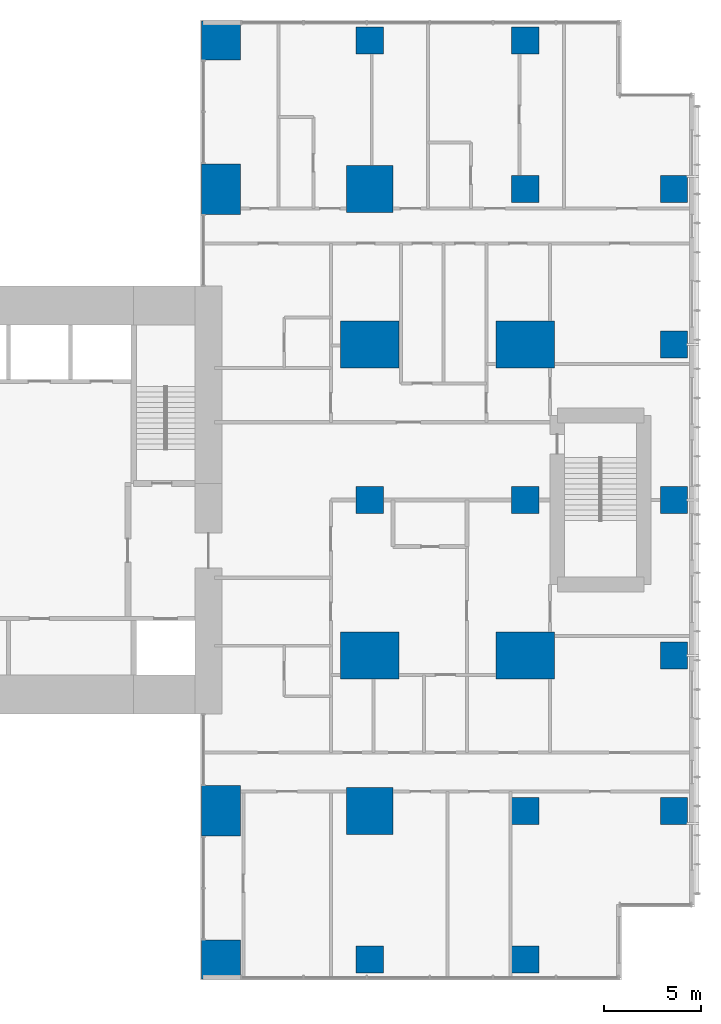
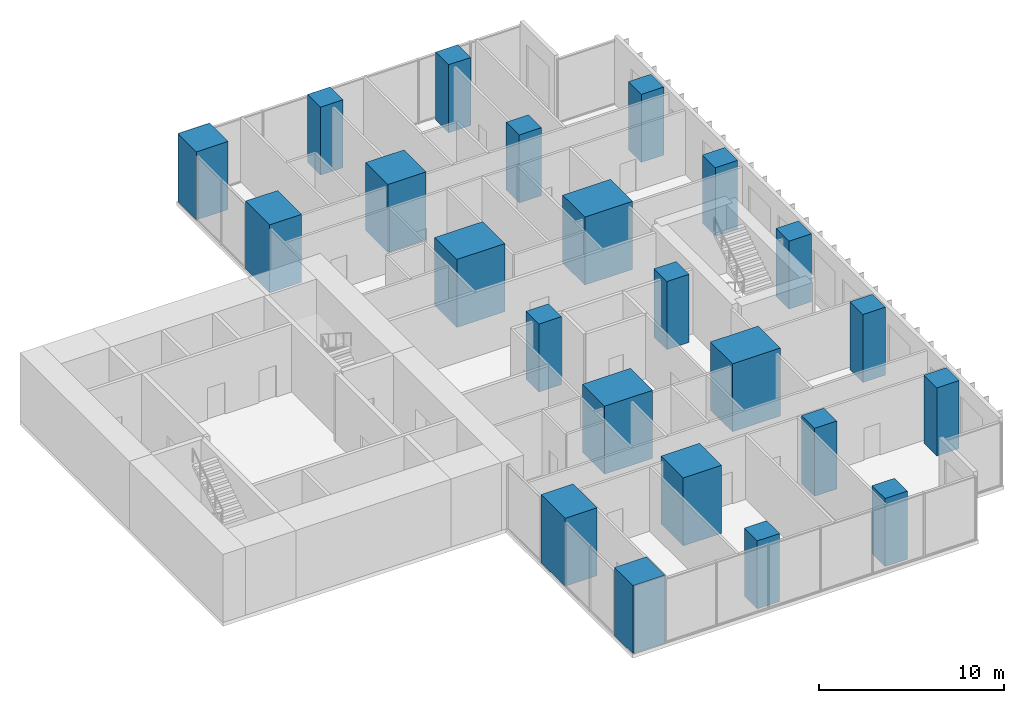
# One storey, part 1 of 12: 23 columns.
"""IFC4 building model written with IfcOpenShell, lengths in metres."""

from ifc_helpers import new_model, si_unit, direction, frame, origin, origin_2d, place, context, subcontext, project, spatial, rectangle, extrude, material, material_profile, profile_set, type_object, element, save


model = new_model("IFC4")

# Units and contexts
model_context = context("Model", 3, precision=1e-05, world=origin(), true_north=direction((0.0, 1.0)))
body_context = subcontext(model_context, "Body", "Model", "MODEL_VIEW")
ifc_project = project(units=[si_unit("LENGTHUNIT", "METRE"), si_unit("AREAUNIT", "SQUARE_METRE"), si_unit("VOLUMEUNIT", "CUBIC_METRE"), si_unit("PLANEANGLEUNIT", "RADIAN"), si_unit("MASSUNIT", "GRAM", prefix="KILO")], contexts=[model_context])

# Site, building, storey
site_placement = place(None, origin())
site = spatial("IfcSite", under=ifc_project, at=site_placement, CompositionType="ELEMENT")
building_placement = place(site_placement, origin())
building = spatial("IfcBuilding", under=site, at=building_placement, Name="Cleftline Residences", CompositionType="ELEMENT")
storey_placement = place(building_placement, frame((0.0, 0.0, 282.60009765625)))
storey = spatial("IfcBuildingStorey", under=building, at=storey_placement, Name="L74", CompositionType="ELEMENT", Elevation=282.60009765625)

# Columns
ifc_material_1 = material(Name="Concrete B70", Category="concrete")
ifc_material_profile_1 = material_profile(ifc_material_1, rectangle(XDim=1.39990234375, YDim=1.39990234375, at=origin_2d()))
ifc_profile_set_1 = profile_set([ifc_material_profile_1], Name="Concrete B70")
column_type_1 = type_object("IfcColumnType", Name="COLUMN RC1400X1400", PredefinedType="COLUMN", material=ifc_profile_set_1)
for number, where, z_axis, x_axis, name in (
    (1, (50.0, 0.35009765625, 0.0), (0.0, 0.0, 1.0), (1.0, 0.0, 0.0), "Column C/9"),
    (2, (50.0, 24.0, 0.0), (0.0, 0.0, 1.0), (1.0, 0.0, 0.0), "Column F/9"),
    (3, (50.0, 47.64990234375, 0.0), (0.0, 0.0, 1.0), (1.0, 0.0, 0.0), "Column J/9"),
    (4, (58.0, 0.35009765625, 0.0), (0.0, 0.0, 1.0), (1.0, 0.0, 0.0), "Column C/10"),
    (5, (58.0, 8.0, 0.0), (0.0, 0.0, 1.0), (1.0, 0.0, 0.0), "Column D/10"),
    (6, (58.0, 24.0, 0.0), (0.0, 0.0, 1.0), (1.0, 0.0, 0.0), "Column F/10"),
    (7, (58.0, 40.0, 0.0), (0.0, 0.0, 1.0), (1.0, 0.0, 0.0), "Column H/10"),
    (8, (58.0, 47.64990234375, 0.0), (0.0, 0.0, 1.0), (1.0, 0.0, 0.0), "Column J/10"),
    (9, (65.64990234375, 8.0, 0.0), (0.0, 0.0, 1.0), (1.0, 0.0, 0.0), "Column D/11"),
    (10, (65.64990234375, 16.0, 0.0), (0.0, 0.0, 1.0), (1.0, 0.0, 0.0), "Column E/11"),
    (11, (65.64990234375, 24.0, 0.0), (0.0, 0.0, 1.0), (1.0, 0.0, 0.0), "Column F/11"),
    (12, (65.64990234375, 32.0, 0.0), (0.0, 0.0, 1.0), (1.0, 0.0, 0.0), "Column G/11"),
    (13, (65.64990234375, 40.0, 0.0), (0.0, 0.0, 1.0), (1.0, 0.0, 0.0), "Column H/11"),
):
    element("IfcColumn", number, at=place(storey_placement, frame(where, z_axis=z_axis, x_axis=x_axis)), inside=storey, type_object=column_type_1, Name=name, PredefinedType="COLUMN", context=body_context, shape_type="SweptSolid", body=[
        extrude(rectangle(XDim=1.39990234375, YDim=1.39990234375, at=origin_2d()), origin(), (0.0, 0.0, 1.0), 4.5),
    ])
ifc_material_2 = material(Name="Concrete B70", Category="concrete")
ifc_material_profile_2 = material_profile(ifc_material_2, rectangle(XDim=2.0, YDim=2.0, at=origin_2d()))
ifc_profile_set_2 = profile_set([ifc_material_profile_2], Name="Concrete B70")
column_type_2 = type_object("IfcColumnType", Name="COLUMN RC2000X2000", PredefinedType="COLUMN", material=ifc_profile_set_2)
for number, where, z_axis, x_axis, name in (
    (14, (42.35009765625, 0.35009765625, 0.0), (0.0, 0.0, 1.0), (1.0, 0.0, 0.0), "Column C/8"),
    (15, (42.35009765625, 47.64990234375, 0.0), (0.0, 0.0, 1.0), (1.0, 0.0, 0.0), "Column J/8"),
):
    element("IfcColumn", number, at=place(storey_placement, frame(where, z_axis=z_axis, x_axis=x_axis)), inside=storey, type_object=column_type_2, Name=name, PredefinedType="COLUMN", context=body_context, shape_type="SweptSolid", body=[
        extrude(rectangle(XDim=2.0, YDim=2.0, at=origin_2d()), origin(), (0.0, 0.0, 1.0), 4.5),
    ])
ifc_material_3 = material(Name="Concrete B70", Category="concrete")
ifc_material_profile_3 = material_profile(ifc_material_3, rectangle(XDim=2.0, YDim=2.60009765625, at=origin_2d()))
ifc_profile_set_3 = profile_set([ifc_material_profile_3], Name="Concrete B70")
column_type_3 = type_object("IfcColumnType", Name="COLUMN RC2000X2600", PredefinedType="COLUMN", material=ifc_profile_set_3)
for number, where, z_axis, x_axis, name in (
    (16, (42.35009765625, 8.0, 0.0), (0.0, 0.0, 1.0), (1.0, 0.0, 0.0), "Column D/8"),
    (17, (42.35009765625, 40.0, 0.0), (0.0, 0.0, 1.0), (1.0, 0.0, 0.0), "Column H/8"),
):
    element("IfcColumn", number, at=place(storey_placement, frame(where, z_axis=z_axis, x_axis=x_axis)), inside=storey, type_object=column_type_3, Name=name, PredefinedType="COLUMN", context=body_context, shape_type="SweptSolid", body=[
        extrude(rectangle(XDim=2.0, YDim=2.60009765625, at=origin_2d()), origin(), (0.0, 0.0, 1.0), 4.5),
    ])
ifc_material_4 = material(Name="Concrete B70", Category="concrete")
ifc_material_profile_4 = material_profile(ifc_material_4, rectangle(XDim=2.39990234375, YDim=2.39990234375, at=origin_2d()))
ifc_profile_set_4 = profile_set([ifc_material_profile_4], Name="Concrete B70")
column_type_4 = type_object("IfcColumnType", Name="COLUMN RC2400X2400", PredefinedType="COLUMN", material=ifc_profile_set_4)
for number, where, z_axis, x_axis, name in (
    (18, (50.0, 8.0, 0.0), (0.0, 0.0, 1.0), (1.0, 0.0, 0.0), "Column D/9"),
    (19, (50.0, 40.0, 0.0), (0.0, 0.0, 1.0), (1.0, 0.0, 0.0), "Column H/9"),
):
    element("IfcColumn", number, at=place(storey_placement, frame(where, z_axis=z_axis, x_axis=x_axis)), inside=storey, type_object=column_type_4, Name=name, PredefinedType="COLUMN", context=body_context, shape_type="SweptSolid", body=[
        extrude(rectangle(XDim=2.39990234375, YDim=2.39990234375, at=origin_2d()), origin(), (0.0, 0.0, 1.0), 4.5),
    ])
ifc_material_5 = material(Name="Concrete B70", Category="concrete")
ifc_material_profile_5 = material_profile(ifc_material_5, rectangle(XDim=3.0, YDim=2.39990234375, at=origin_2d()))
ifc_profile_set_5 = profile_set([ifc_material_profile_5], Name="Concrete B70")
column_type_5 = type_object("IfcColumnType", Name="COLUMN RC3000X2400", PredefinedType="COLUMN", material=ifc_profile_set_5)
for number, where, z_axis, x_axis, name in (
    (20, (50.0, 16.0, 0.0), (0.0, 0.0, 1.0), (1.0, 0.0, 0.0), "Column E/9"),
    (21, (50.0, 32.0, 0.0), (0.0, 0.0, 1.0), (1.0, 0.0, 0.0), "Column G/9"),
    (22, (58.0, 16.0, 0.0), (0.0, 0.0, 1.0), (1.0, 0.0, 0.0), "Column E/10"),
    (23, (58.0, 32.0, 0.0), (0.0, 0.0, 1.0), (1.0, 0.0, 0.0), "Column G/10"),
):
    element("IfcColumn", number, at=place(storey_placement, frame(where, z_axis=z_axis, x_axis=x_axis)), inside=storey, type_object=column_type_5, Name=name, PredefinedType="COLUMN", context=body_context, shape_type="SweptSolid", body=[
        extrude(rectangle(XDim=3.0, YDim=2.39990234375, at=origin_2d()), origin(), (0.0, 0.0, 1.0), 4.5),
    ])

save(model, "model.ifc")
